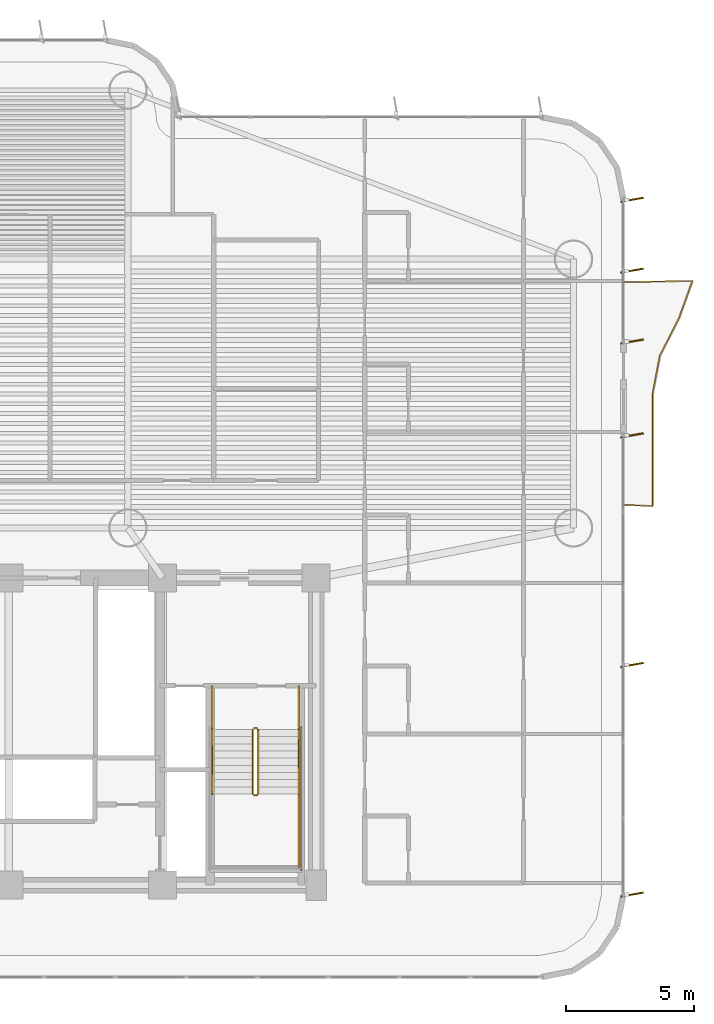
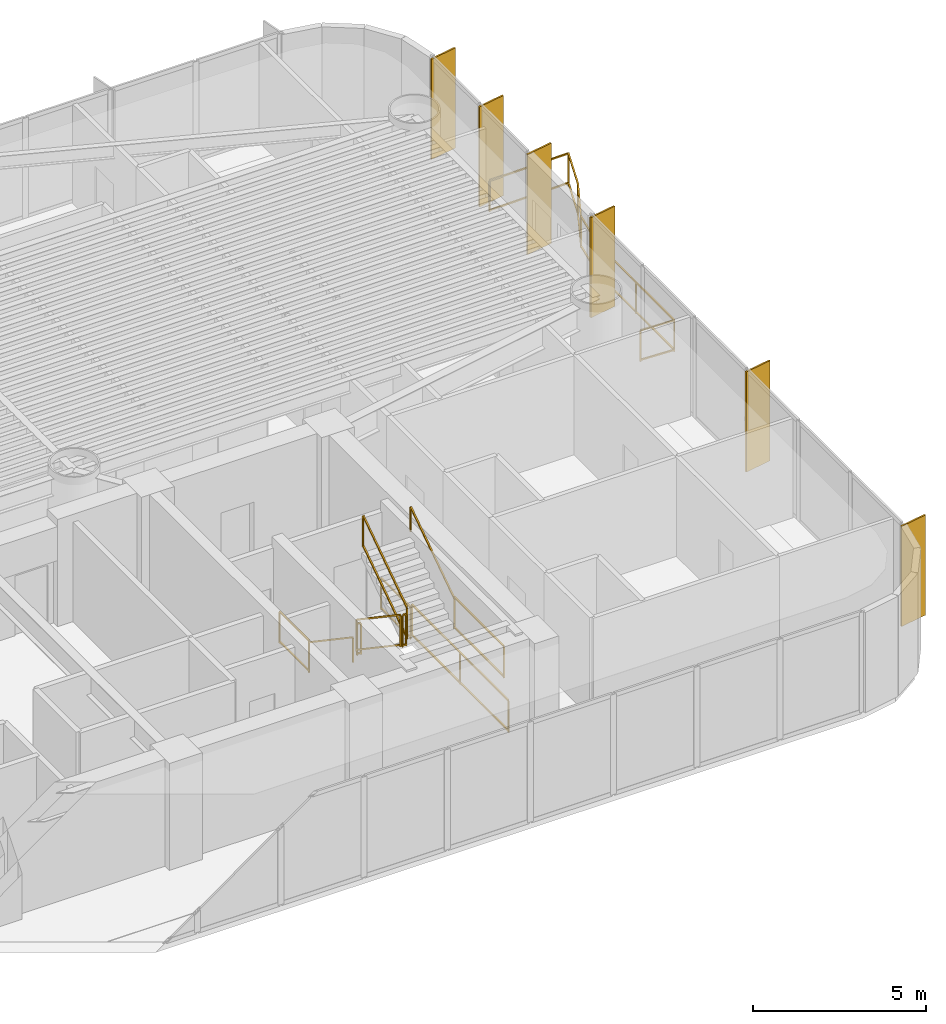
# One storey, part 17 of 18: 11 railings, 6 shading devices.
"""IFC4 building model written with IfcOpenShell, lengths in metres."""

from ifc_helpers import new_model, si_unit, direction, frame, origin, origin_2d, place, context, subcontext, project, spatial, rectangle, extrude, source, transform, mapped, material, layer, layer_set, material_profile, profile_set, type_object, element, save


model = new_model("IFC4")

# Units and contexts
model_context = context("Model", 3, precision=1e-05, world=origin(), true_north=direction((0.0, 1.0)))
body_context = subcontext(model_context, "Body", "Model", "MODEL_VIEW")
ifc_project = project(units=[si_unit("LENGTHUNIT", "METRE"), si_unit("AREAUNIT", "SQUARE_METRE"), si_unit("VOLUMEUNIT", "CUBIC_METRE"), si_unit("PLANEANGLEUNIT", "RADIAN"), si_unit("MASSUNIT", "GRAM", prefix="KILO")], contexts=[model_context])

# Site, building, storey
site_placement = place(None, origin())
site = spatial("IfcSite", under=ifc_project, at=site_placement, CompositionType="ELEMENT")
building_placement = place(site_placement, origin())
building = spatial("IfcBuilding", under=site, at=building_placement, Name="Brelvock Crest Care Tower", CompositionType="ELEMENT")
storey_placement = place(building_placement, frame((0.0, 0.0, 42.1201171875)))
storey = spatial("IfcBuildingStorey", under=building, at=storey_placement, Name="L10", CompositionType="ELEMENT", Elevation=42.1201171875)

# Railings
ifc_material_1 = material(Name="Dark Glass Double Glazed Low-E", Category="glass")
ifc_layer_1 = layer(ifc_material_1, 0.06005859375, Name="RL-BAL1")
ifc_layer_set_1 = layer_set([ifc_layer_1], Name="Dark Glass Double Glazed Low-E")
railing_type_1 = type_object("IfcRailingType", Name="RL-BAL1", PredefinedType="BALUSTRADE", material=ifc_layer_set_1)
railing_1_placement = place(storey_placement, frame((60.0400390625, 20.85009765625, 0.00390625)))
element("IfcRailing", 1, at=railing_1_placement, inside=storey, type_object=railing_type_1, Name="L10 Safety Balustrade WB-E", PredefinedType="BALUSTRADE", context=body_context, shape_type="SweptSolid", body=[
    extrude(rectangle(XDim=0.048095703125, YDim=0.048095703125, at=origin_2d()), frame((0.001953125, 0.0, 1.09619140625), z_axis=(0.998966252902, -0.045457953795, 0.0), x_axis=(0.045457953795, 0.998966252902, 0.0)), (0.0, 0.0, 1.0), 1.096923828125),
    extrude(rectangle(XDim=0.048095703125, YDim=0.048095703125, at=origin_2d()), frame((0.001953125, 0.0, 0.054931640625), z_axis=(0.998966252902, -0.045457953795, 0.0), x_axis=(0.045457953795, 0.998966252902, 0.0)), (0.0, 0.0, 1.0), 1.096923828125),
    extrude(rectangle(XDim=0.048095703125, YDim=0.048095703125, at=origin_2d()), frame((1.099853515625, -0.048095703125, 1.09619140625), z_axis=(0.0, 1.0, 0.0), x_axis=(-1.0, 0.0, 0.0)), (0.0, 0.0, 1.0), 4.39599609375),
    extrude(rectangle(XDim=0.048095703125, YDim=0.048095703125, at=origin_2d()), frame((1.099853515625, -0.048095703125, 0.054931640625), z_axis=(0.0, 1.0, 0.0), x_axis=(-1.0, 0.0, 0.0)), (0.0, 0.0, 1.0), 4.39599609375),
    extrude(rectangle(XDim=0.048095703125, YDim=0.048095703125, at=origin_2d()), frame((1.100341796875, 4.351806640625, 1.09619140625), z_axis=(0.187051999936, 0.982350013651, 0.0), x_axis=(-0.982350013651, 0.187051999936, 0.0)), (0.0, 0.0, 1.0), 1.4892578125),
    extrude(rectangle(XDim=0.048095703125, YDim=0.048095703125, at=origin_2d()), frame((1.100341796875, 4.351806640625, 0.054931640625), z_axis=(0.187051999936, 0.982350013651, 0.0), x_axis=(-0.982350013651, 0.187051999936, 0.0)), (0.0, 0.0, 1.0), 1.4892578125),
    extrude(rectangle(XDim=0.048095703125, YDim=0.048095703125, at=origin_2d()), frame((1.380126953125, 5.818359375, 1.09619140625), z_axis=(0.453316616849, 0.891349563801, 0.0), x_axis=(-0.891349563801, 0.453316616849, 0.0)), (0.0, 0.0, 1.0), 1.641357421875),
    extrude(rectangle(XDim=0.048095703125, YDim=0.048095703125, at=origin_2d()), frame((1.380126953125, 5.818359375, 0.054931640625), z_axis=(0.453316616849, 0.891349563801, 0.0), x_axis=(-0.891349563801, 0.453316616849, 0.0)), (0.0, 0.0, 1.0), 1.641357421875),
    extrude(rectangle(XDim=0.048095703125, YDim=0.048095703125, at=origin_2d()), frame((2.125732421875, 7.28515625, 1.09619140625), z_axis=(0.338597458076, 0.940931326604, 0.0), x_axis=(-0.940931326604, 0.338597458076, 0.0)), (0.0, 0.0, 1.0), 1.554931640625),
    extrude(rectangle(XDim=0.048095703125, YDim=0.048095703125, at=origin_2d()), frame((2.125732421875, 7.28515625, 0.054931640625), z_axis=(0.338597458076, 0.940931326604, 0.0), x_axis=(-0.940931326604, 0.338597458076, 0.0)), (0.0, 0.0, 1.0), 1.554931640625),
    extrude(rectangle(XDim=0.048095703125, YDim=0.048095703125, at=origin_2d()), frame((2.65087890625, 8.75, 1.09619140625), z_axis=(-0.999822080967, -0.018862831456, 0.0), x_axis=(0.018862831456, -0.999822080967, 0.0)), (0.0, 0.0, 1.0), 2.6494140625),
    extrude(rectangle(XDim=0.048095703125, YDim=0.048095703125, at=origin_2d()), frame((2.65087890625, 8.75, 0.054931640625), z_axis=(-0.999822080967, -0.018862831456, 0.0), x_axis=(0.018862831456, -0.999822080967, 0.0)), (0.0, 0.0, 1.0), 2.6494140625),
    extrude(rectangle(XDim=0.0419921875, YDim=0.0419921875, at=origin_2d()), origin(), (0.0, 0.0, 1.0), 1.070068359375),
    extrude(rectangle(XDim=0.0419921875, YDim=0.0419921875, at=origin_2d()), frame((1.099853515625, -0.050048828125, 0.0)), (0.0, 0.0, 1.0), 1.070068359375),
    extrude(rectangle(XDim=0.0419921875, YDim=0.0419921875, at=origin_2d()), frame((1.099853515625, 2.14990234375, 0.0)), (0.0, 0.0, 1.0), 1.070068359375),
    extrude(rectangle(XDim=0.0419921875, YDim=0.0419921875, at=origin_2d()), frame((1.099853515625, 4.349853515625, 0.0)), (0.0, 0.0, 1.0), 1.070068359375),
    extrude(rectangle(XDim=0.0419921875, YDim=0.0419921875, at=origin_2d()), frame((1.379150390625, 5.816650390625, 0.0)), (0.0, 0.0, 1.0), 1.070068359375),
    extrude(rectangle(XDim=0.0419921875, YDim=0.0419921875, at=origin_2d()), frame((2.125, 7.283203125, 0.0)), (0.0, 0.0, 1.0), 1.070068359375),
    extrude(rectangle(XDim=0.0419921875, YDim=0.0419921875, at=origin_2d()), frame((2.65283203125, 8.75, 0.0)), (0.0, 0.0, 1.0), 1.070068359375),
    extrude(rectangle(XDim=0.0419921875, YDim=0.0419921875, at=origin_2d()), frame((0.0, 8.699951171875, 0.0)), (0.0, 0.0, 1.0), 1.070068359375),
])
ifc_material_2 = material(Name="Steel Grade 350", Category="steel")
ifc_layer_2 = layer(ifc_material_2, 0.050048828125, Name="RL-STG1")
ifc_layer_set_2 = layer_set([ifc_layer_2], Name="Steel Grade 350")
railing_type_2 = type_object("IfcRailingType", Name="RL-STG1", PredefinedType="GUARDRAIL", material=ifc_layer_set_2)
railing_2_placement = place(storey_placement, frame((45.52001953125, 12.080078125, 0.18896484375)))
element("IfcRailing", 2, at=railing_2_placement, inside=storey, type_object=railing_type_2, Name="L10 ST-2 stair guard 1", PredefinedType="GUARDRAIL", context=body_context, shape_type="SweptSolid", body=[
    extrude(rectangle(XDim=0.048095703125, YDim=0.048095703125, at=origin_2d()), frame((0.0, -0.001708984375, 1.116943359375), z_axis=(0.0, -0.828861706735, 0.559453546873), x_axis=(1.0, 0.0, 0.0)), (0.0, 0.0, 1.0), 3.036376953125),
    extrude(rectangle(XDim=0.048095703125, YDim=0.048095703125, at=origin_2d()), frame((0.0, -0.001708984375, 0.05615234375), z_axis=(0.0, -0.828861706735, 0.559453546873), x_axis=(1.0, 0.0, 0.0)), (0.0, 0.0, 1.0), 3.036376953125),
    extrude(rectangle(XDim=0.0419921875, YDim=0.0419921875, at=origin_2d()), origin(), (0.0, 0.0, 1.0), 1.08984375),
    extrude(rectangle(XDim=0.0419921875, YDim=0.0419921875, at=origin_2d()), frame((0.0, -2.52001953125, 1.700927734375)), (0.0, 0.0, 1.0), 1.08984375),
])
railing_3_placement = place(storey_placement, frame((45.570068359375, 9.510009765625, 1.889892578125)))
element("IfcRailing", 3, at=railing_3_placement, inside=storey, type_object=railing_type_2, Name="L10 ST-2 stair guard 2", PredefinedType="GUARDRAIL", context=body_context, shape_type="SweptSolid", body=[
    extrude(rectangle(XDim=0.048095703125, YDim=0.048095703125, at=origin_2d()), frame((0.001953125, 0.0, 1.11572265625), z_axis=(1.0, 0.0, 0.0), x_axis=(0.0, 1.0, 0.0)), (0.0, 0.0, 1.0), 0.115966796875),
    extrude(rectangle(XDim=0.048095703125, YDim=0.048095703125, at=origin_2d()), frame((0.001953125, 0.0, 0.054931640625), z_axis=(1.0, 0.0, 0.0), x_axis=(0.0, 1.0, 0.0)), (0.0, 0.0, 1.0), 0.115966796875),
    extrude(rectangle(XDim=0.0419921875, YDim=0.0419921875, at=origin_2d()), origin(), (0.0, 0.0, 1.0), 1.08984375),
    extrude(rectangle(XDim=0.0419921875, YDim=0.0419921875, at=origin_2d()), frame((0.119873046875, 0.0, 0.0)), (0.0, 0.0, 1.0), 1.08984375),
])
railing_4_placement = place(storey_placement, frame((47.320068359375, 9.56005859375, 1.889892578125)))
element("IfcRailing", 4, at=railing_4_placement, inside=storey, type_object=railing_type_2, Name="L10 ST-2 stair guard 4", PredefinedType="GUARDRAIL", context=body_context, shape_type="SweptSolid", body=[
    extrude(rectangle(XDim=0.048095703125, YDim=0.048095703125, at=origin_2d()), frame((0.0, -0.001953125, 1.11572265625), z_axis=(0.0, -1.0, 0.0), x_axis=(1.0, 0.0, 0.0)), (0.0, 0.0, 1.0), 2.856201171875),
    extrude(rectangle(XDim=0.048095703125, YDim=0.048095703125, at=origin_2d()), frame((0.0, -0.001953125, 0.054931640625), z_axis=(0.0, -1.0, 0.0), x_axis=(1.0, 0.0, 0.0)), (0.0, 0.0, 1.0), 2.856201171875),
    extrude(rectangle(XDim=0.0419921875, YDim=0.0419921875, at=origin_2d()), origin(), (0.0, 0.0, 1.0), 1.08984375),
    extrude(rectangle(XDim=0.0419921875, YDim=0.0419921875, at=origin_2d()), frame((0.0, -2.860107421875, 0.0)), (0.0, 0.0, 1.0), 1.08984375),
])
railing_5_placement = place(storey_placement, frame((45.739990234375, 9.56005859375, 2.078857421875)))
element("IfcRailing", 5, at=railing_5_placement, inside=storey, type_object=railing_type_2, Name="L10 ST-2 stair guard 6", PredefinedType="GUARDRAIL", context=body_context, shape_type="SweptSolid", body=[
    extrude(rectangle(XDim=0.048095703125, YDim=0.048095703125, at=origin_2d()), frame((0.0, 0.001708984375, 1.116943359375), z_axis=(0.0, 0.828861706735, 0.559453546873), x_axis=(-1.0, 0.0, 0.0)), (0.0, 0.0, 1.0), 3.036376953125),
    extrude(rectangle(XDim=0.048095703125, YDim=0.048095703125, at=origin_2d()), frame((0.0, 0.001708984375, 0.05615234375), z_axis=(0.0, 0.828861706735, 0.559453546873), x_axis=(-1.0, 0.0, 0.0)), (0.0, 0.0, 1.0), 3.036376953125),
    extrude(rectangle(XDim=0.0419921875, YDim=0.0419921875, at=origin_2d()), origin(), (0.0, 0.0, 1.0), 1.08984375),
    extrude(rectangle(XDim=0.0419921875, YDim=0.0419921875, at=origin_2d()), frame((0.0, 2.52001953125, 1.700927734375)), (0.0, 0.0, 1.0), 1.08984375),
])
railing_6_placement = place(storey_placement, frame((45.570068359375, 12.1298828125, 0.0)))
element("IfcRailing", 6, at=railing_6_placement, inside=storey, type_object=railing_type_2, Name="L10 ST-2 stair guard 7", PredefinedType="GUARDRAIL", context=body_context, shape_type="SweptSolid", body=[
    extrude(rectangle(XDim=0.048095703125, YDim=0.048095703125, at=origin_2d()), frame((0.001953125, 0.0, 1.11572265625), z_axis=(1.0, 0.0, 0.0), x_axis=(0.0, 1.0, 0.0)), (0.0, 0.0, 1.0), 0.115966796875),
    extrude(rectangle(XDim=0.048095703125, YDim=0.048095703125, at=origin_2d()), frame((0.001953125, 0.0, 0.054931640625), z_axis=(1.0, 0.0, 0.0), x_axis=(0.0, 1.0, 0.0)), (0.0, 0.0, 1.0), 0.115966796875),
    extrude(rectangle(XDim=0.0419921875, YDim=0.0419921875, at=origin_2d()), origin(), (0.0, 0.0, 1.0), 1.08984375),
    extrude(rectangle(XDim=0.0419921875, YDim=0.0419921875, at=origin_2d()), frame((0.119873046875, 0.0, 0.0)), (0.0, 0.0, 1.0), 1.08984375),
])
for number, where, name in (
    (7, (43.93994140625, 13.780029296875, 0.0), "L10 ST-2 stair guard 8"),
    (8, (47.320068359375, 13.780029296875, 0.0), "L10 ST-2 stair guard 9"),
):
    element("IfcRailing", number, at=place(storey_placement, frame(where)), inside=storey, type_object=railing_type_2, Name=name, PredefinedType="GUARDRAIL", context=body_context, shape_type="SweptSolid", body=[
        extrude(rectangle(XDim=0.048095703125, YDim=0.048095703125, at=origin_2d()), frame((0.0, -0.001953125, 1.11572265625), z_axis=(0.0, -1.0, 0.0), x_axis=(1.0, 0.0, 0.0)), (0.0, 0.0, 1.0), 1.696044921875),
        extrude(rectangle(XDim=0.048095703125, YDim=0.048095703125, at=origin_2d()), frame((0.0, -0.001953125, 0.054931640625), z_axis=(0.0, -1.0, 0.0), x_axis=(1.0, 0.0, 0.0)), (0.0, 0.0, 1.0), 1.696044921875),
        extrude(rectangle(XDim=0.0419921875, YDim=0.0419921875, at=origin_2d()), origin(), (0.0, 0.0, 1.0), 1.08984375),
        extrude(rectangle(XDim=0.0419921875, YDim=0.0419921875, at=origin_2d()), frame((0.0, -1.699951171875, 0.0)), (0.0, 0.0, 1.0), 1.08984375),
    ])
railing_7_placement = place(storey_placement, frame((47.419921875, 12.179931640625, 0.0)))
element("IfcRailing", 9, at=railing_7_placement, inside=storey, type_object=railing_type_2, Name="L10 ST-2 stair guard 11", PredefinedType="GUARDRAIL", context=body_context, shape_type="SweptSolid", body=[
    extrude(rectangle(XDim=0.048095703125, YDim=0.048095703125, at=origin_2d()), frame((0.0, -0.001953125, 1.11572265625), z_axis=(0.0, -1.0, 0.0), x_axis=(1.0, 0.0, 0.0)), (0.0, 0.0, 1.0), 5.575927734375),
    extrude(rectangle(XDim=0.048095703125, YDim=0.048095703125, at=origin_2d()), frame((0.0, -0.001953125, 0.054931640625), z_axis=(0.0, -1.0, 0.0), x_axis=(1.0, 0.0, 0.0)), (0.0, 0.0, 1.0), 5.575927734375),
    extrude(rectangle(XDim=0.0419921875, YDim=0.0419921875, at=origin_2d()), origin(), (0.0, 0.0, 1.0), 1.08984375),
    extrude(rectangle(XDim=0.0419921875, YDim=0.0419921875, at=origin_2d()), frame((0.0, -2.7900390625, 0.0)), (0.0, 0.0, 1.0), 1.08984375),
    extrude(rectangle(XDim=0.0419921875, YDim=0.0419921875, at=origin_2d()), frame((0.0, -5.579833984375, 0.0)), (0.0, 0.0, 1.0), 1.08984375),
])
ifc_layer_3 = layer(ifc_material_2, 0.048095703125, Name="RL-STH1")
ifc_layer_set_3 = layer_set([ifc_layer_3], Name="Steel Grade 350")
railing_type_3 = type_object("IfcRailingType", Name="RL-STH1", PredefinedType="HANDRAIL", material=ifc_layer_set_3)
railing_8_placement = place(storey_placement, frame((43.93994140625, 12.080078125, 0.18896484375)))
element("IfcRailing", 10, at=railing_8_placement, inside=storey, type_object=railing_type_3, Name="L10 ST-2 stair handrail 1", PredefinedType="HANDRAIL", context=body_context, shape_type="SweptSolid", body=[
    extrude(rectangle(XDim=0.048095703125, YDim=0.048095703125, at=origin_2d()), frame((0.0, -0.001708984375, 0.876953125), z_axis=(0.0, -0.828861706735, 0.559453546873), x_axis=(1.0, 0.0, 0.0)), (0.0, 0.0, 1.0), 3.036376953125),
    extrude(rectangle(XDim=0.0419921875, YDim=0.0419921875, at=origin_2d()), origin(), (0.0, 0.0, 1.0), 0.849853515625),
    extrude(rectangle(XDim=0.0419921875, YDim=0.0419921875, at=origin_2d()), frame((0.0, -2.52001953125, 1.700927734375)), (0.0, 0.0, 1.0), 0.849853515625),
])
railing_9_placement = place(storey_placement, frame((47.320068359375, 9.56005859375, 2.078857421875)))
element("IfcRailing", 11, at=railing_9_placement, inside=storey, type_object=railing_type_3, Name="L10 ST-2 stair handrail 2", PredefinedType="HANDRAIL", context=body_context, shape_type="SweptSolid", body=[
    extrude(rectangle(XDim=0.048095703125, YDim=0.048095703125, at=origin_2d()), frame((0.0, 0.001708984375, 0.876953125), z_axis=(0.0, 0.828861706735, 0.559453546873), x_axis=(-1.0, 0.0, 0.0)), (0.0, 0.0, 1.0), 3.036376953125),
    extrude(rectangle(XDim=0.0419921875, YDim=0.0419921875, at=origin_2d()), origin(), (0.0, 0.0, 1.0), 0.849853515625),
    extrude(rectangle(XDim=0.0419921875, YDim=0.0419921875, at=origin_2d()), frame((0.0, 2.52001953125, 1.700927734375)), (0.0, 0.0, 1.0), 0.849853515625),
])

# Shading devices
ifc_material_3 = material(Name="Aluminium 6063-T6", Category="aluminium")
ifc_material_profile = material_profile(ifc_material_3, rectangle(XDim=0.054931640625, YDim=0.89990234375, at=origin_2d()), Name="FIN55x900")
ifc_profile_set = profile_set([ifc_material_profile], Name="Aluminium 6063-T6")
shading_device_type = type_object("IfcShadingDeviceType", Name="SHD-FIN1", PredefinedType="USERDEFINED", material=ifc_profile_set)
shared_shape = source(origin(), body_context, "Body", "SweptSolid", [
    extrude(rectangle(XDim=0.054931640625, YDim=0.89990234375, at=origin_2d()), origin(), (0.0, 0.0, 1.0), 3.52978515625),
])
for number, where, z_axis, x_axis, name in (
    (12, (60.340087890625, 32.767578125, 0.0), (0.0, 0.0, 1.0), (0.173648177667, -0.984807753012, 0.0), "L10 Vertical Sunshade Fin E03A-01"),
    (13, (60.340087890625, 30.0, 0.0), (0.0, 0.0, 1.0), (0.173648177667, -0.984807753012, 0.0), "L10 Vertical Sunshade Fin E03A-02"),
    (14, (60.340087890625, 27.232421875, 0.0), (0.0, 0.0, 1.0), (0.173648177667, -0.984807753012, 0.0), "L10 Vertical Sunshade Fin E03A-03"),
    (15, (60.340087890625, 23.5673828125, 0.0), (0.0, 0.0, 1.0), (0.173648177667, -0.984807753012, 0.0), "L10 Vertical Sunshade Fin E03B-01"),
    (16, (60.340087890625, 14.60009765625, 0.0), (0.0, 0.0, 1.0), (0.173648177667, -0.984807753012, 0.0), "L10 Vertical Sunshade Fin E03B-04"),
    (17, (60.340087890625, 5.632568359375, 0.0), (0.0, 0.0, 1.0), (0.173648177667, -0.984807753012, 0.0), "L10 Vertical Sunshade Fin E03B-07"),
):
    element("IfcShadingDevice", number, at=place(storey_placement, frame(where, z_axis=z_axis, x_axis=x_axis)), inside=storey, type_object=shading_device_type, Name=name, ObjectType="FIN", PredefinedType="USERDEFINED", context=body_context, shape_type="MappedRepresentation", body=[
        mapped(shared_shape, transform((0.0, 0.0, 0.0), x_axis=(1.0, 0.0, 0.0), y_axis=(0.0, 1.0, 0.0), z_axis=(0.0, 0.0, 1.0), scale=1.0)),
    ])

save(model, "model.ifc")
